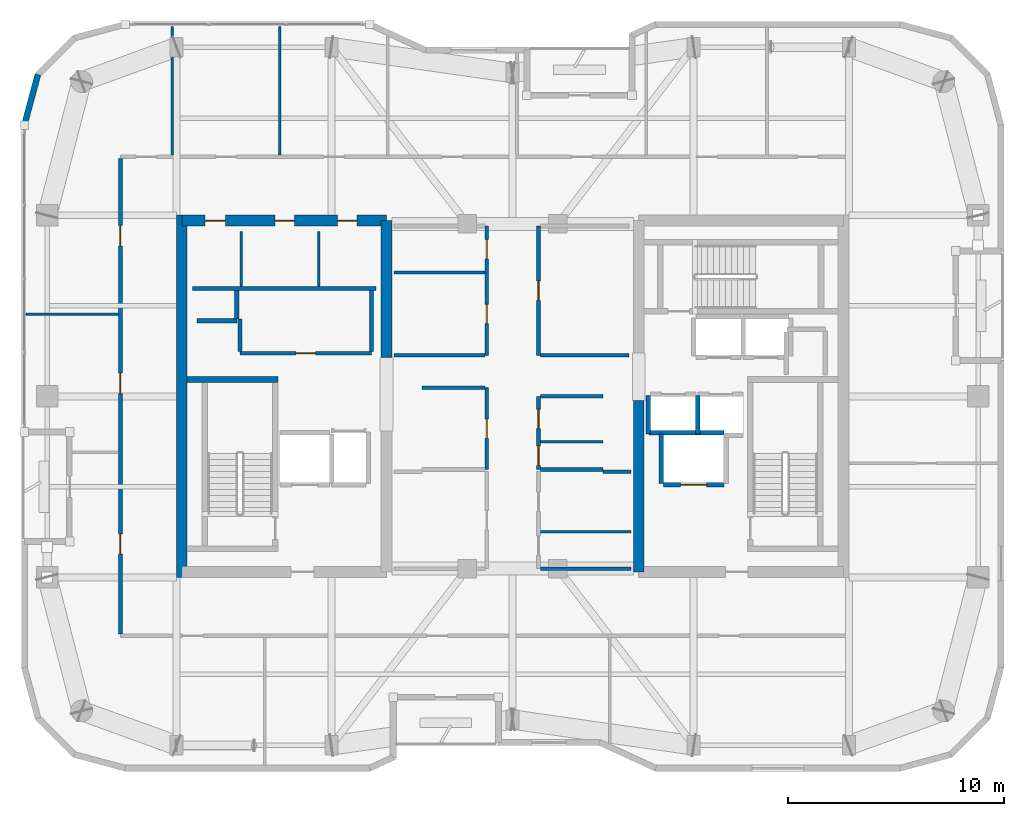
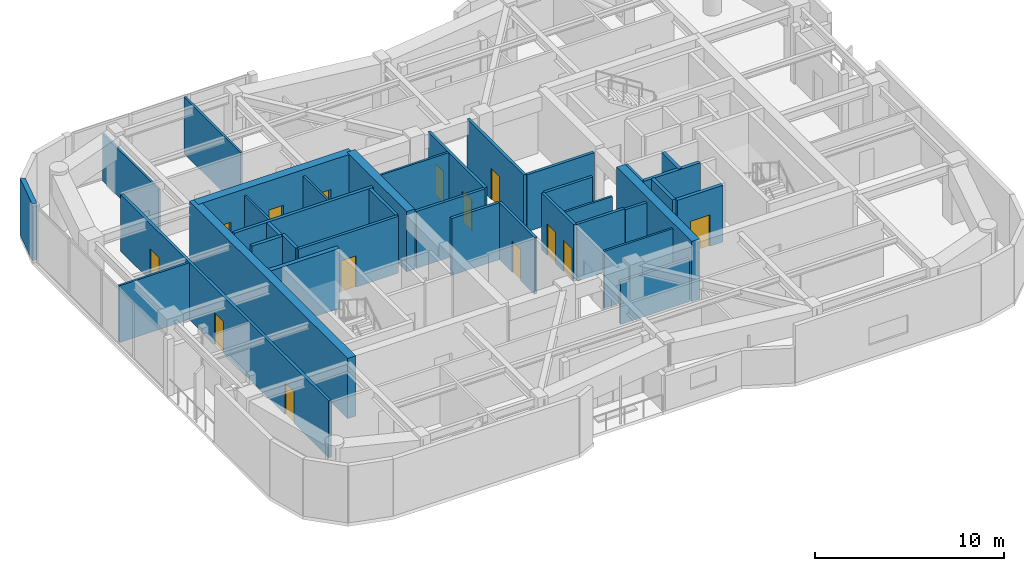
# One storey, part 11 of 15: 37 walls, 14 doors, 14 openings.
"""IFC4 building model written with IfcOpenShell, lengths in metres."""

from ifc_helpers import new_model, si_unit, direction, frame, frame_2d, origin, place, context, subcontext, project, spatial, rectangle, extrude, material, layer, layer_set, type_object, element, fill, save


model = new_model("IFC4")

# Units and contexts
model_context = context("Model", 3, precision=1e-05, world=origin(), true_north=direction((0.0, 1.0)))
body_context = subcontext(model_context, "Body", "Model", "MODEL_VIEW")
ifc_project = project(units=[si_unit("LENGTHUNIT", "METRE"), si_unit("AREAUNIT", "SQUARE_METRE"), si_unit("VOLUMEUNIT", "CUBIC_METRE"), si_unit("PLANEANGLEUNIT", "RADIAN"), si_unit("MASSUNIT", "GRAM", prefix="KILO")], contexts=[model_context])

# Site, building, storey
site_placement = place(None, origin())
site = spatial("IfcSite", under=ifc_project, at=site_placement, CompositionType="ELEMENT")
building_placement = place(site_placement, origin())
building = spatial("IfcBuilding", under=site, at=building_placement, Name="Kiyonajd Concourse Tower", CompositionType="ELEMENT")
storey_placement = place(building_placement, frame((0.0, 0.0, 262.800048828125)))
storey = spatial("IfcBuildingStorey", under=building, at=storey_placement, Name="L66", CompositionType="ELEMENT", Elevation=262.800048828125)

# Walls
ifc_material_1 = material(Name="Concrete C60/75", Category="concrete")
ifc_layer_1 = layer(ifc_material_1, 0.5)
ifc_layer_set_1 = layer_set([ifc_layer_1], Name="Concrete C60/75")
wall_type_1 = type_object("IfcWallType", Name="WL-CORE-500", PredefinedType="SHEAR", material=ifc_layer_set_1)
wall_1_placement = place(storey_placement, frame((32.64990234375, 27.60009765625, 0.0), z_axis=(0.0, 0.0, 1.0), x_axis=(0.0, 1.0, 0.0)))
element("IfcWall", 1, at=wall_1_placement, inside=storey, type_object=wall_type_1, Name="L66 West Core Outer Shear Wall", PredefinedType="SHEAR", context=body_context, shape_type="SweptSolid", body=[
    extrude(rectangle(XDim=16.7998046875, YDim=0.5, at=frame_2d((8.39990234375, 0.0))), origin(), (0.0, 0.0, 1.0), 3.89990234375),
])
wall_2_placement = place(storey_placement, frame((42.14990234375, 37.800048828125, 0.0), z_axis=(0.0, 0.0, 1.0), x_axis=(0.0, 1.0, 0.0)))
element("IfcWall", 2, at=wall_2_placement, inside=storey, type_object=wall_type_1, Name="L66 West Core Inner North Shear Wall", PredefinedType="SHEAR", context=body_context, shape_type="SweptSolid", body=[
    extrude(rectangle(XDim=6.349853515625, YDim=0.5, at=frame_2d((3.1748046875, 0.0))), origin(), (0.0, 0.0, 1.0), 3.89990234375),
])

# Wall, openings, doors
wall_3_placement = place(storey_placement, frame((32.64990234375, 44.14990234375, 0.0), z_axis=(0.0, 0.0, 1.0), x_axis=(1.0, 0.0, 0.0)))
wall_3 = element("IfcWall", 3, at=wall_3_placement, inside=storey, type_object=wall_type_1, Name="L66 West Core North Shear Wall", PredefinedType="SHEAR", context=body_context, shape_type="SweptSolid", body=[
    extrude(rectangle(XDim=9.5, YDim=0.5, at=frame_2d((4.75, 0.0))), origin(), (0.0, 0.0, 1.0), 3.89990234375),
])
opening_1_placement = place(wall_3_placement, frame((1.074951171875, 0.0, 0.0)))
opening_1 = element("IfcOpeningElement", 4, at=opening_1_placement, cuts=wall_3, Name="Opening DI1", PredefinedType="OPENING", context=body_context, shape_type="SweptSolid", body=[
    extrude(rectangle(XDim=0.949951171875, YDim=2.0400390625, at=frame_2d((0.47509765625, 1.02001953125))), frame((0.0, 0.260009765625, 0.0), z_axis=(0.0, -1.0, 0.0), x_axis=(1.0, 0.0, 0.0)), (0.0, 0.0, 1.0), 0.52001953125),
])
opening_2_placement = place(wall_3_placement, frame((4.324951171875, 0.0, 0.0)))
opening_2 = element("IfcOpeningElement", 5, at=opening_2_placement, cuts=wall_3, Name="Opening DI2", PredefinedType="OPENING", context=body_context, shape_type="SweptSolid", body=[
    extrude(rectangle(XDim=0.89990234375, YDim=2.02001953125, at=frame_2d((0.449951171875, 1.010009765625))), frame((0.0, 0.260009765625, 0.0), z_axis=(0.0, -1.0, 0.0), x_axis=(1.0, 0.0, 0.0)), (0.0, 0.0, 1.0), 0.52001953125),
])
opening_3_placement = place(wall_3_placement, frame((7.22509765625, 0.0, 0.0)))
opening_3 = element("IfcOpeningElement", 6, at=opening_3_placement, cuts=wall_3, Name="Opening DI2", PredefinedType="OPENING", context=body_context, shape_type="SweptSolid", body=[
    extrude(rectangle(XDim=0.89990234375, YDim=2.02001953125, at=frame_2d((0.449951171875, 1.010009765625))), frame((0.0, 0.260009765625, 0.0), z_axis=(0.0, -1.0, 0.0), x_axis=(1.0, 0.0, 0.0)), (0.0, 0.0, 1.0), 0.52001953125),
])
ifc_material_2 = material(Name="Natural Oak Acoustic Timber Veneer", Category="wood")
door_type_1 = type_object("IfcDoorType", Name="DR-INT-900", OperationType="NOTDEFINED", PredefinedType="DOOR", material=ifc_material_2)
door_1_placement = place(opening_2_placement, origin())
door_1 = element("IfcDoor", 7, at=door_1_placement, inside=storey, type_object=door_type_1, Name="L66 Male Restroom Door", OperationType="SINGLE_SWING_RIGHT", OverallHeight=2.02001953125, OverallWidth=0.89990234375, PredefinedType="DOOR", context=body_context, shape_type="SweptSolid", body=[
    extrude(rectangle(XDim=0.89990234375, YDim=2.02001953125, at=frame_2d((0.449951171875, 1.010009765625))), frame((0.0, 0.02490234375, 0.0), z_axis=(0.0, -1.0, 0.0), x_axis=(1.0, 0.0, 0.0)), (0.0, 0.0, 1.0), 0.050048828125),
])
fill(opening_2, door_1)
door_2_placement = place(opening_3_placement, origin())
door_2 = element("IfcDoor", 8, at=door_2_placement, inside=storey, type_object=door_type_1, Name="L66 Female Restroom Door", OperationType="SINGLE_SWING_LEFT", OverallHeight=2.02001953125, OverallWidth=0.89990234375, PredefinedType="DOOR", context=body_context, shape_type="SweptSolid", body=[
    extrude(rectangle(XDim=0.89990234375, YDim=2.02001953125, at=frame_2d((0.449951171875, 1.010009765625))), frame((0.0, 0.02490234375, 0.0), z_axis=(0.0, -1.0, 0.0), x_axis=(1.0, 0.0, 0.0)), (0.0, 0.0, 1.0), 0.050048828125),
])
fill(opening_3, door_2)
door_type_2 = type_object("IfcDoorType", Name="DR-INT-950", OperationType="NOTDEFINED", PredefinedType="DOOR", material=ifc_material_2)
door_3_placement = place(opening_1_placement, origin())
door_3 = element("IfcDoor", 9, at=door_3_placement, inside=storey, type_object=door_type_2, Name="L66 Single User Accessible WC Door", OperationType="SINGLE_SWING_LEFT", OverallHeight=2.0400390625, OverallWidth=0.949951171875, PredefinedType="DOOR", context=body_context, shape_type="SweptSolid", body=[
    extrude(rectangle(XDim=0.949951171875, YDim=2.0400390625, at=frame_2d((0.47509765625, 1.02001953125))), frame((0.0, 0.02490234375, 0.0), z_axis=(0.0, -1.0, 0.0), x_axis=(1.0, 0.0, 0.0)), (0.0, 0.0, 1.0), 0.050048828125),
])
fill(opening_1, door_3)

# Walls
wall_4_placement = place(storey_placement, frame((53.85009765625, 27.85009765625, 0.0), z_axis=(0.0, 0.0, 1.0), x_axis=(0.0, 1.0, 0.0)))
element("IfcWall", 10, at=wall_4_placement, inside=storey, type_object=wall_type_1, Name="L66 East Core Inner South Shear Wall", PredefinedType="SHEAR", context=body_context, shape_type="SweptSolid", body=[
    extrude(rectangle(XDim=7.949951171875, YDim=0.5, at=frame_2d((3.97509765625, 0.0))), origin(), (0.0, 0.0, 1.0), 3.89990234375),
])
ifc_material_3 = material(Name="Precast concrete C50/60", Category="concrete")
ifc_layer_2 = layer(ifc_material_3, 0.280029296875)
ifc_layer_set_2 = layer_set([ifc_layer_2], Name="Precast concrete C50/60")
wall_type_2 = type_object("IfcWallType", Name="WL-EXT-280", PredefinedType="SOLIDWALL", material=ifc_layer_set_2)
wall_5_placement = place(storey_placement, frame((25.340087890625, 48.58154296875, 0.0), z_axis=(0.0, 0.0, 1.0), x_axis=(0.258751159445, 0.965944013639, 0.0)))
element("IfcWall", 11, at=wall_5_placement, inside=storey, type_object=wall_type_2, Name="L66 Exterior Concrete Frame Wall 06", PredefinedType="SOLIDWALL", context=body_context, shape_type="SweptSolid", body=[
    extrude(rectangle(XDim=2.4287109375, YDim=0.280029296875, at=frame_2d((1.21435546875, 0.0))), origin(), (0.0, 0.0, 1.0), 3.679931640625),
])
ifc_material_4 = material(Name="Gypsum Board on Cold-Formed Steel Stud", Category="steel")
ifc_layer_3 = layer(ifc_material_4, 0.125)
ifc_layer_set_3 = layer_set([ifc_layer_3], Name="Gypsum Board on Cold-Formed Steel Stud")
wall_type_3 = type_object("IfcWallType", Name="WL-PART-125", PredefinedType="PARTITIONING", material=ifc_layer_set_3)
for number, where, z_axis, x_axis, name in (
    (12, (35.39990234375, 41.094970703125, 0.0), (0.0, 0.0, 1.0), (0.0, 1.0, 0.0), "L66 Interior Partition Wall"),
    (13, (39.0, 41.094970703125, 0.0), (0.0, 0.0, 1.0), (0.0, 1.0, 0.0), "L66 Interior Partition Wall"),
):
    element("IfcWall", number, at=place(storey_placement, frame(where, z_axis=z_axis, x_axis=x_axis)), inside=storey, type_object=wall_type_3, Name=name, PredefinedType="PARTITIONING", context=body_context, shape_type="SweptSolid", body=[
        extrude(rectangle(XDim=2.554931640625, YDim=0.125, at=frame_2d((1.27734375, 0.0))), origin(), (0.0, 0.0, 1.0), 3.679931640625),
    ])
wall_6_placement = place(storey_placement, frame((49.287109375, 33.89208984375, 0.0), z_axis=(0.0, 0.0, 1.0), x_axis=(1.0, 0.0, 0.0)))
element("IfcWall", 14, at=wall_6_placement, inside=storey, type_object=wall_type_3, Name="L66 Interior Partition Wall", PredefinedType="PARTITIONING", context=body_context, shape_type="SweptSolid", body=[
    extrude(rectangle(XDim=2.912841796875, YDim=0.125, at=frame_2d((1.45654296875, 0.0))), origin(), (0.0, 0.0, 1.0), 3.679931640625),
])
for number, where, z_axis, x_axis, name in (
    (15, (49.287109375, 29.7099609375, 0.0), (0.0, 0.0, 1.0), (1.0, 0.0, 0.0), "L66 Interior Partition Wall"),
    (16, (42.5, 41.739990234375, 0.0), (0.0, 0.0, 1.0), (1.0, 0.0, 0.0), "L66 Interior Partition Wall"),
):
    element("IfcWall", number, at=place(storey_placement, frame(where, z_axis=z_axis, x_axis=x_axis)), inside=storey, type_object=wall_type_3, Name=name, PredefinedType="PARTITIONING", context=body_context, shape_type="SweptSolid", body=[
        extrude(rectangle(XDim=4.212890625, YDim=0.125, at=frame_2d((2.1064453125, 0.0))), origin(), (0.0, 0.0, 1.0), 3.679931640625),
    ])
wall_7_placement = place(storey_placement, frame((32.199951171875, 47.197021484375, 0.0), z_axis=(0.0, 0.0, 1.0), x_axis=(0.0, 1.0, 0.0)))
element("IfcWall", 17, at=wall_7_placement, inside=storey, type_object=wall_type_3, Name="L66 Interior Partition Wall", PredefinedType="PARTITIONING", context=body_context, shape_type="SweptSolid", body=[
    extrude(rectangle(XDim=5.968017578125, YDim=0.125, at=frame_2d((2.98388671875, 0.0))), origin(), (0.0, 0.0, 1.0), 3.053955078125),
])
wall_8_placement = place(storey_placement, frame((37.199951171875, 47.197021484375, 0.0), z_axis=(0.0, 0.0, 1.0), x_axis=(0.0, 1.0, 0.0)))
element("IfcWall", 18, at=wall_8_placement, inside=storey, type_object=wall_type_3, Name="L66 Interior Partition Wall", PredefinedType="PARTITIONING", context=body_context, shape_type="SweptSolid", body=[
    extrude(rectangle(XDim=5.968017578125, YDim=0.125, at=frame_2d((2.98388671875, 0.0))), origin(), (0.0, 0.0, 1.0), 3.679931640625),
])
wall_9_placement = place(storey_placement, frame((25.425048828125, 39.800048828125, 0.0), z_axis=(0.0, 0.0, 1.0), x_axis=(1.0, 0.0, 0.0)))
element("IfcWall", 19, at=wall_9_placement, inside=storey, type_object=wall_type_3, Name="L66 Interior Partition Wall", PredefinedType="PARTITIONING", context=body_context, shape_type="SweptSolid", body=[
    extrude(rectangle(XDim=4.287841796875, YDim=0.125, at=frame_2d((2.14404296875, 0.0))), origin(), (0.0, 0.0, 1.0), 3.679931640625),
])
ifc_layer_4 = layer(ifc_material_4, 0.18994140625)
ifc_layer_set_4 = layer_set([ifc_layer_4], Name="Gypsum Board on Cold-Formed Steel Stud")
wall_type_4 = type_object("IfcWallType", Name="WL-PLMB-190", PredefinedType="PLUMBINGWALL", material=ifc_layer_set_4)
wall_10_placement = place(storey_placement, frame((33.14990234375, 41.0, 0.0), z_axis=(0.0, 0.0, 1.0), x_axis=(1.0, 0.0, 0.0)))
element("IfcWall", 20, at=wall_10_placement, inside=storey, type_object=wall_type_4, Name="L66 Interior Partition Wall", PredefinedType="PLUMBINGWALL", context=body_context, shape_type="SweptSolid", body=[
    extrude(rectangle(XDim=8.5, YDim=0.18994140625, at=frame_2d((4.25, 0.0))), origin(), (0.0, 0.0, 1.0), 3.679931640625),
])
ifc_layer_5 = layer(ifc_material_4, 0.2099609375)
ifc_layer_set_5 = layer_set([ifc_layer_5], Name="Gypsum Board on Cold-Formed Steel Stud")
wall_type_5 = type_object("IfcWallType", Name="WL-SHAFT-210", PredefinedType="PARTITIONING", material=ifc_layer_set_5)
wall_11_placement = place(storey_placement, frame((33.360107421875, 39.5, 0.0), z_axis=(0.0, 0.0, 1.0), x_axis=(1.0, 0.0, 0.0)))
element("IfcWall", 21, at=wall_11_placement, inside=storey, type_object=wall_type_5, Name="L66 Shaft Enclosure Wall", PredefinedType="PARTITIONING", context=body_context, shape_type="SweptSolid", body=[
    extrude(rectangle(XDim=1.85986328125, YDim=0.2099609375, at=frame_2d((0.929931640625, 0.0))), origin(), (0.0, 0.0, 1.0), 3.679931640625),
])
wall_12_placement = place(storey_placement, frame((35.199951171875, 39.580078125, 0.0), z_axis=(0.0, 0.0, 1.0), x_axis=(0.0, 1.0, 0.0)))
element("IfcWall", 22, at=wall_12_placement, inside=storey, type_object=wall_type_5, Name="L66 Shaft Enclosure Wall", PredefinedType="PARTITIONING", context=body_context, shape_type="SweptSolid", body=[
    extrude(rectangle(XDim=1.31982421875, YDim=0.2099609375, at=frame_2d((0.659912109375, 0.0))), origin(), (0.0, 0.0, 1.0), 3.679931640625),
])

# Wall, opening, door
wall_13_placement = place(storey_placement, frame((55.0, 31.89990234375, 0.0), z_axis=(0.0, 0.0, 1.0), x_axis=(1.0, 0.0, 0.0)))
wall_13 = element("IfcWall", 23, at=wall_13_placement, inside=storey, type_object=wall_type_5, Name="L66 Shaft Enclosure Wall", PredefinedType="PARTITIONING", context=body_context, shape_type="SweptSolid", body=[
    extrude(rectangle(XDim=2.800048828125, YDim=0.2099609375, at=frame_2d((1.39990234375, 0.0))), origin(), (0.0, 0.0, 1.0), 3.679931640625),
])
opening_4_placement = place(wall_13_placement, frame((0.800048828125, 0.0, 0.0)))
opening_4 = element("IfcOpeningElement", 24, at=opening_4_placement, cuts=wall_13, Name="Opening LD2", PredefinedType="OPENING", context=body_context, shape_type="SweptSolid", body=[
    extrude(rectangle(XDim=1.199951171875, YDim=2.0400390625, at=frame_2d((0.60009765625, 1.02001953125))), frame((0.0, 0.114990234375, 0.0), z_axis=(0.0, -1.0, 0.0), x_axis=(1.0, 0.0, 0.0)), (0.0, 0.0, 1.0), 0.22998046875),
])
ifc_material_5 = material(Name="Brushed Stainless Steel Cab Assembly", Category="steel")
door_type_3 = type_object("IfcDoorType", Name="DR-LD-1200", OperationType="DOUBLE_DOOR_SLIDING", PredefinedType="DOOR", material=ifc_material_5)
door_4_placement = place(opening_4_placement, origin())
door_4 = element("IfcDoor", 25, at=door_4_placement, inside=storey, type_object=door_type_3, Name="L66 Lift FFL2 Sliding Landing Door", OperationType="DOUBLE_DOOR_SLIDING", OverallHeight=2.0400390625, OverallWidth=1.199951171875, PredefinedType="DOOR", context=body_context, shape_type="SweptSolid", body=[
    extrude(rectangle(XDim=1.199951171875, YDim=2.0400390625, at=frame_2d((0.60009765625, 1.02001953125))), frame((0.0, 0.02490234375, 0.0), z_axis=(0.0, -1.0, 0.0), x_axis=(1.0, 0.0, 0.0)), (0.0, 0.0, 1.0), 0.050048828125),
])
fill(opening_4, door_4)

# Walls
wall_14_placement = place(storey_placement, frame((54.320068359375, 34.300048828125, 0.0), z_axis=(0.0, 0.0, 1.0), x_axis=(1.0, 0.0, 0.0)))
element("IfcWall", 26, at=wall_14_placement, inside=storey, type_object=wall_type_5, Name="L66 Shaft Enclosure Wall", PredefinedType="PARTITIONING", context=body_context, shape_type="SweptSolid", body=[
    extrude(rectangle(XDim=3.47998046875, YDim=0.2099609375, at=frame_2d((1.739990234375, 0.0))), origin(), (0.0, 0.0, 1.0), 3.679931640625),
])
wall_15_placement = place(storey_placement, frame((54.89990234375, 31.9599609375, 0.0), z_axis=(0.0, 0.0, 1.0), x_axis=(0.0, 1.0, 0.0)))
element("IfcWall", 27, at=wall_15_placement, inside=storey, type_object=wall_type_5, Name="L66 Shaft Enclosure Wall", PredefinedType="PARTITIONING", context=body_context, shape_type="SweptSolid", body=[
    extrude(rectangle(XDim=2.280029296875, YDim=0.2099609375, at=frame_2d((1.14013671875, 0.0))), origin(), (0.0, 0.0, 1.0), 3.679931640625),
])
for number, where, z_axis, x_axis, name in (
    (28, (54.300048828125, 34.260009765625, 0.0), (0.0, 0.0, 1.0), (0.0, 1.0, 0.0), "L66 Shaft Enclosure Wall"),
    (29, (56.60009765625, 34.260009765625, 0.0), (0.0, 0.0, 1.0), (0.0, 1.0, 0.0), "L66 Shaft Enclosure Wall"),
):
    element("IfcWall", number, at=place(storey_placement, frame(where, z_axis=z_axis, x_axis=x_axis)), inside=storey, type_object=wall_type_5, Name=name, PredefinedType="PARTITIONING", context=body_context, shape_type="SweptSolid", body=[
        extrude(rectangle(XDim=1.780029296875, YDim=0.2099609375, at=frame_2d((0.89013671875, 0.0))), origin(), (0.0, 0.0, 1.0), 3.679931640625),
    ])

# Wall, opening, door
ifc_layer_6 = layer(ifc_material_4, 0.169921875)
ifc_layer_set_6 = layer_set([ifc_layer_6], Name="Gypsum Board on Cold-Formed Steel Stud")
wall_type_6 = type_object("IfcWallType", Name="WL-SMK-170", PredefinedType="PARTITIONING", material=ifc_layer_set_6)
wall_16_placement = place(storey_placement, frame((35.35009765625, 38.0, 0.0), z_axis=(0.0, 0.0, 1.0), x_axis=(1.0, 0.0, 0.0)))
wall_16 = element("IfcWall", 30, at=wall_16_placement, inside=storey, type_object=wall_type_6, Name="L66 Interior Partition Wall", PredefinedType="PARTITIONING", context=body_context, shape_type="SweptSolid", body=[
    extrude(rectangle(XDim=6.099853515625, YDim=0.169921875, at=frame_2d((3.0498046875, 0.0))), origin(), (0.0, 0.0, 1.0), 3.679931640625),
])
opening_5_placement = place(wall_16_placement, frame((2.60009765625, 0.0, 0.0)))
opening_5 = element("IfcOpeningElement", 31, at=opening_5_placement, cuts=wall_16, Name="Opening DI2", PredefinedType="OPENING", context=body_context, shape_type="SweptSolid", body=[
    extrude(rectangle(XDim=0.89990234375, YDim=2.02001953125, at=frame_2d((0.449951171875, 1.010009765625))), frame((0.0, 0.094970703125, 0.0), z_axis=(0.0, -1.0, 0.0), x_axis=(1.0, 0.0, 0.0)), (0.0, 0.0, 1.0), 0.18994140625),
])
door_5_placement = place(opening_5_placement, origin())
door_5 = element("IfcDoor", 32, at=door_5_placement, inside=storey, type_object=door_type_1, Name="L66 Interior Door", OperationType="SINGLE_SWING_LEFT", OverallHeight=2.02001953125, OverallWidth=0.89990234375, PredefinedType="DOOR", context=body_context, shape_type="SweptSolid", body=[
    extrude(rectangle(XDim=0.89990234375, YDim=2.02001953125, at=frame_2d((0.449951171875, 1.010009765625))), frame((0.0, 0.02490234375, 0.0), z_axis=(0.0, -1.0, 0.0), x_axis=(1.0, 0.0, 0.0)), (0.0, 0.0, 1.0), 0.050048828125),
])
fill(opening_5, door_5)

# Walls
wall_17_placement = place(storey_placement, frame((35.35009765625, 38.0869140625, 0.0), z_axis=(0.0, 0.0, 1.0), x_axis=(0.0, 1.0, 0.0)))
element("IfcWall", 33, at=wall_17_placement, inside=storey, type_object=wall_type_6, Name="L66 Interior Partition Wall", PredefinedType="PARTITIONING", context=body_context, shape_type="SweptSolid", body=[
    extrude(rectangle(XDim=1.4931640625, YDim=0.169921875, at=frame_2d((0.74658203125, 0.0))), origin(), (0.0, 0.0, 1.0), 3.679931640625),
])
wall_18_placement = place(storey_placement, frame((41.449951171875, 38.0869140625, 0.0), z_axis=(0.0, 0.0, 1.0), x_axis=(0.0, 1.0, 0.0)))
element("IfcWall", 34, at=wall_18_placement, inside=storey, type_object=wall_type_6, Name="L66 Interior Partition Wall", PredefinedType="PARTITIONING", context=body_context, shape_type="SweptSolid", body=[
    extrude(rectangle(XDim=2.81298828125, YDim=0.169921875, at=frame_2d((1.406494140625, 0.0))), origin(), (0.0, 0.0, 1.0), 3.679931640625),
])

# Wall, opening, door
wall_19_placement = place(storey_placement, frame((46.800048828125, 32.60009765625, 0.0), z_axis=(0.0, 0.0, 1.0), x_axis=(0.0, 1.0, 0.0)))
wall_19 = element("IfcWall", 35, at=wall_19_placement, inside=storey, type_object=wall_type_6, Name="L66 Interior Partition Wall", PredefinedType="PARTITIONING", context=body_context, shape_type="SweptSolid", body=[
    extrude(rectangle(XDim=3.7998046875, YDim=0.169921875, at=frame_2d((1.89990234375, 0.0))), origin(), (0.0, 0.0, 1.0), 3.679931640625),
])
opening_6_placement = place(wall_19_placement, frame((1.449951171875, 0.0, 0.0)))
opening_6 = element("IfcOpeningElement", 36, at=opening_6_placement, cuts=wall_19, Name="Opening DI2", PredefinedType="OPENING", context=body_context, shape_type="SweptSolid", body=[
    extrude(rectangle(XDim=0.89990234375, YDim=2.02001953125, at=frame_2d((0.449951171875, 1.010009765625))), frame((0.0, 0.094970703125, 0.0), z_axis=(0.0, -1.0, 0.0), x_axis=(1.0, 0.0, 0.0)), (0.0, 0.0, 1.0), 0.18994140625),
])
door_6_placement = place(opening_6_placement, origin())
door_6 = element("IfcDoor", 37, at=door_6_placement, inside=storey, type_object=door_type_1, Name="L66 Interior Door", OperationType="SINGLE_SWING_RIGHT", OverallHeight=2.02001953125, OverallWidth=0.89990234375, PredefinedType="DOOR", context=body_context, shape_type="SweptSolid", body=[
    extrude(rectangle(XDim=0.89990234375, YDim=2.02001953125, at=frame_2d((0.449951171875, 1.010009765625))), frame((0.0, 0.02490234375, 0.0), z_axis=(0.0, -1.0, 0.0), x_axis=(1.0, 0.0, 0.0)), (0.0, 0.0, 1.0), 0.050048828125),
])
fill(opening_6, door_6)

# Wall
wall_20_placement = place(storey_placement, frame((43.800048828125, 36.39990234375, 0.0), z_axis=(0.0, 0.0, 1.0), x_axis=(1.0, 0.0, 0.0)))
element("IfcWall", 38, at=wall_20_placement, inside=storey, type_object=wall_type_6, Name="L66 Interior Partition Wall", PredefinedType="PARTITIONING", context=body_context, shape_type="SweptSolid", body=[
    extrude(rectangle(XDim=2.912841796875, YDim=0.169921875, at=frame_2d((1.45654296875, 0.0))), origin(), (0.0, 0.0, 1.0), 3.679931640625),
])

# Wall, openings, doors
wall_21_placement = place(storey_placement, frame((49.199951171875, 32.60009765625, 0.0), z_axis=(0.0, 0.0, 1.0), x_axis=(0.0, 1.0, 0.0)))
wall_21 = element("IfcWall", 39, at=wall_21_placement, inside=storey, type_object=wall_type_6, Name="L66 Interior Partition Wall", PredefinedType="PARTITIONING", context=body_context, shape_type="SweptSolid", body=[
    extrude(rectangle(XDim=3.39990234375, YDim=0.169921875, at=frame_2d((1.699951171875, 0.0))), origin(), (0.0, 0.0, 1.0), 3.679931640625),
])
opening_7_placement = place(wall_21_placement, frame((0.196044921875, 0.0, 0.0)))
opening_7 = element("IfcOpeningElement", 40, at=opening_7_placement, cuts=wall_21, Name="Opening DI2", PredefinedType="OPENING", context=body_context, shape_type="SweptSolid", body=[
    extrude(rectangle(XDim=0.89990234375, YDim=2.02001953125, at=frame_2d((0.449951171875, 1.010009765625))), frame((0.0, 0.094970703125, 0.0), z_axis=(0.0, -1.0, 0.0), x_axis=(1.0, 0.0, 0.0)), (0.0, 0.0, 1.0), 0.18994140625),
])
opening_8_placement = place(wall_21_placement, frame((1.89599609375, 0.0, 0.0)))
opening_8 = element("IfcOpeningElement", 41, at=opening_8_placement, cuts=wall_21, Name="Opening DI2", PredefinedType="OPENING", context=body_context, shape_type="SweptSolid", body=[
    extrude(rectangle(XDim=0.89990234375, YDim=2.02001953125, at=frame_2d((0.449951171875, 1.010009765625))), frame((0.0, 0.094970703125, 0.0), z_axis=(0.0, -1.0, 0.0), x_axis=(1.0, 0.0, 0.0)), (0.0, 0.0, 1.0), 0.18994140625),
])
door_7_placement = place(opening_7_placement, origin())
door_7 = element("IfcDoor", 42, at=door_7_placement, inside=storey, type_object=door_type_1, Name="L66 Interior Door", OperationType="SINGLE_SWING_LEFT", OverallHeight=2.02001953125, OverallWidth=0.89990234375, PredefinedType="DOOR", context=body_context, shape_type="SweptSolid", body=[
    extrude(rectangle(XDim=0.89990234375, YDim=2.02001953125, at=frame_2d((0.449951171875, 1.010009765625))), frame((0.0, 0.02490234375, 0.0), z_axis=(0.0, -1.0, 0.0), x_axis=(1.0, 0.0, 0.0)), (0.0, 0.0, 1.0), 0.050048828125),
])
fill(opening_7, door_7)
door_8_placement = place(opening_8_placement, origin())
door_8 = element("IfcDoor", 43, at=door_8_placement, inside=storey, type_object=door_type_1, Name="L66 Interior Door", OperationType="SINGLE_SWING_RIGHT", OverallHeight=2.02001953125, OverallWidth=0.89990234375, PredefinedType="DOOR", context=body_context, shape_type="SweptSolid", body=[
    extrude(rectangle(XDim=0.89990234375, YDim=2.02001953125, at=frame_2d((0.449951171875, 1.010009765625))), frame((0.0, 0.02490234375, 0.0), z_axis=(0.0, -1.0, 0.0), x_axis=(1.0, 0.0, 0.0)), (0.0, 0.0, 1.0), 0.050048828125),
])
fill(opening_8, door_8)

# Walls
for number, where, z_axis, x_axis, name in (
    (44, (49.287109375, 32.60009765625, 0.0), (0.0, 0.0, 1.0), (1.0, 0.0, 0.0), "L66 Interior Partition Wall"),
    (45, (49.287109375, 36.0, 0.0), (0.0, 0.0, 1.0), (1.0, 0.0, 0.0), "L66 Interior Partition Wall"),
):
    element("IfcWall", number, at=place(storey_placement, frame(where, z_axis=z_axis, x_axis=x_axis)), inside=storey, type_object=wall_type_6, Name=name, PredefinedType="PARTITIONING", context=body_context, shape_type="SweptSolid", body=[
        extrude(rectangle(XDim=2.912841796875, YDim=0.169921875, at=frame_2d((1.45654296875, 0.0))), origin(), (0.0, 0.0, 1.0), 3.679931640625),
    ])
wall_22_placement = place(storey_placement, frame((49.287109375, 28.0, 0.0), z_axis=(0.0, 0.0, 1.0), x_axis=(1.0, 0.0, 0.0)))
element("IfcWall", 46, at=wall_22_placement, inside=storey, type_object=wall_type_6, Name="L66 Interior Partition Wall", PredefinedType="PARTITIONING", context=body_context, shape_type="SweptSolid", body=[
    extrude(rectangle(XDim=4.212890625, YDim=0.169921875, at=frame_2d((2.1064453125, 0.0))), origin(), (0.0, 0.0, 1.0), 2.764892578125),
])
wall_23_placement = place(storey_placement, frame((52.199951171875, 32.5, 0.0), z_axis=(0.0, 0.0, 1.0), x_axis=(1.0, 0.0, 0.0)))
element("IfcWall", 47, at=wall_23_placement, inside=storey, type_object=wall_type_6, Name="L66 Interior Partition Wall", PredefinedType="PARTITIONING", context=body_context, shape_type="SweptSolid", body=[
    extrude(rectangle(XDim=1.300048828125, YDim=0.169921875, at=frame_2d((0.64990234375, 0.0))), origin(), (0.0, 0.0, 1.0), 3.679931640625),
])

# Wall, openings, doors
wall_24_placement = place(storey_placement, frame((46.800048828125, 37.89990234375, 0.0), z_axis=(0.0, 0.0, 1.0), x_axis=(0.0, 1.0, 0.0)))
wall_24 = element("IfcWall", 48, at=wall_24_placement, inside=storey, type_object=wall_type_6, Name="L66 Interior Partition Wall", PredefinedType="PARTITIONING", context=body_context, shape_type="SweptSolid", body=[
    extrude(rectangle(XDim=6.0, YDim=0.169921875, at=frame_2d((3.0, 0.0))), origin(), (0.0, 0.0, 1.0), 3.679931640625),
])
opening_9_placement = place(wall_24_placement, frame((1.469970703125, 0.0, 0.0)))
opening_9 = element("IfcOpeningElement", 49, at=opening_9_placement, cuts=wall_24, Name="Opening DF4", PredefinedType="OPENING", context=body_context, shape_type="SweptSolid", body=[
    extrude(rectangle(XDim=0.89990234375, YDim=2.02001953125, at=frame_2d((0.449951171875, 1.010009765625))), frame((0.0, 0.094970703125, 0.0), z_axis=(0.0, -1.0, 0.0), x_axis=(1.0, 0.0, 0.0)), (0.0, 0.0, 1.0), 0.18994140625),
])
opening_10_placement = place(wall_24_placement, frame((4.469970703125, 0.0, 0.0)))
opening_10 = element("IfcOpeningElement", 50, at=opening_10_placement, cuts=wall_24, Name="Opening DF4", PredefinedType="OPENING", context=body_context, shape_type="SweptSolid", body=[
    extrude(rectangle(XDim=0.89990234375, YDim=2.02001953125, at=frame_2d((0.449951171875, 1.010009765625))), frame((0.0, 0.094970703125, 0.0), z_axis=(0.0, -1.0, 0.0), x_axis=(1.0, 0.0, 0.0)), (0.0, 0.0, 1.0), 0.18994140625),
])
door_type_4 = type_object("IfcDoorType", Name="DR-FD60-900", OperationType="NOTDEFINED", PredefinedType="DOOR", material=ifc_material_5)
door_9_placement = place(opening_9_placement, origin())
door_9 = element("IfcDoor", 51, at=door_9_placement, inside=storey, type_object=door_type_4, Name="L66 Interior Door", OperationType="SINGLE_SWING_RIGHT", OverallHeight=2.02001953125, OverallWidth=0.89990234375, PredefinedType="DOOR", context=body_context, shape_type="SweptSolid", body=[
    extrude(rectangle(XDim=0.89990234375, YDim=2.02001953125, at=frame_2d((0.449951171875, 1.010009765625))), frame((0.0, 0.02490234375, 0.0), z_axis=(0.0, -1.0, 0.0), x_axis=(1.0, 0.0, 0.0)), (0.0, 0.0, 1.0), 0.050048828125),
])
fill(opening_9, door_9)
door_10_placement = place(opening_10_placement, origin())
door_10 = element("IfcDoor", 52, at=door_10_placement, inside=storey, type_object=door_type_4, Name="L66 Interior Door", OperationType="SINGLE_SWING_LEFT", OverallHeight=2.02001953125, OverallWidth=0.89990234375, PredefinedType="DOOR", context=body_context, shape_type="SweptSolid", body=[
    extrude(rectangle(XDim=0.89990234375, YDim=2.02001953125, at=frame_2d((0.449951171875, 1.010009765625))), frame((0.0, 0.02490234375, 0.0), z_axis=(0.0, -1.0, 0.0), x_axis=(1.0, 0.0, 0.0)), (0.0, 0.0, 1.0), 0.050048828125),
])
fill(opening_10, door_10)

# Wall
wall_25_placement = place(storey_placement, frame((42.5, 37.89990234375, 0.0), z_axis=(0.0, 0.0, 1.0), x_axis=(1.0, 0.0, 0.0)))
element("IfcWall", 53, at=wall_25_placement, inside=storey, type_object=wall_type_6, Name="L66 Interior Partition Wall", PredefinedType="PARTITIONING", context=body_context, shape_type="SweptSolid", body=[
    extrude(rectangle(XDim=4.212890625, YDim=0.169921875, at=frame_2d((2.1064453125, 0.0))), origin(), (0.0, 0.0, 1.0), 3.679931640625),
])

# Wall, opening, door
wall_26_placement = place(storey_placement, frame((49.199951171875, 37.89990234375, 0.0), z_axis=(0.0, 0.0, 1.0), x_axis=(0.0, 1.0, 0.0)))
wall_26 = element("IfcWall", 54, at=wall_26_placement, inside=storey, type_object=wall_type_6, Name="L66 Interior Partition Wall", PredefinedType="PARTITIONING", context=body_context, shape_type="SweptSolid", body=[
    extrude(rectangle(XDim=6.0, YDim=0.169921875, at=frame_2d((3.0, 0.0))), origin(), (0.0, 0.0, 1.0), 3.679931640625),
])
opening_11_placement = place(wall_26_placement, frame((2.550048828125, 0.0, 0.0)))
opening_11 = element("IfcOpeningElement", 55, at=opening_11_placement, cuts=wall_26, Name="Opening DI2", PredefinedType="OPENING", context=body_context, shape_type="SweptSolid", body=[
    extrude(rectangle(XDim=0.89990234375, YDim=2.02001953125, at=frame_2d((0.449951171875, 1.010009765625))), frame((0.0, 0.094970703125, 0.0), z_axis=(0.0, -1.0, 0.0), x_axis=(1.0, 0.0, 0.0)), (0.0, 0.0, 1.0), 0.18994140625),
])
door_11_placement = place(opening_11_placement, origin())
door_11 = element("IfcDoor", 56, at=door_11_placement, inside=storey, type_object=door_type_1, Name="L66 Interior Door", OperationType="SINGLE_SWING_RIGHT", OverallHeight=2.02001953125, OverallWidth=0.89990234375, PredefinedType="DOOR", context=body_context, shape_type="SweptSolid", body=[
    extrude(rectangle(XDim=0.89990234375, YDim=2.02001953125, at=frame_2d((0.449951171875, 1.010009765625))), frame((0.0, 0.02490234375, 0.0), z_axis=(0.0, -1.0, 0.0), x_axis=(1.0, 0.0, 0.0)), (0.0, 0.0, 1.0), 0.050048828125),
])
fill(opening_11, door_11)

# Wall
wall_27_placement = place(storey_placement, frame((49.287109375, 37.89990234375, 0.0), z_axis=(0.0, 0.0, 1.0), x_axis=(1.0, 0.0, 0.0)))
element("IfcWall", 57, at=wall_27_placement, inside=storey, type_object=wall_type_6, Name="L66 Interior Partition Wall", PredefinedType="PARTITIONING", context=body_context, shape_type="SweptSolid", body=[
    extrude(rectangle(XDim=4.11279296875, YDim=0.169921875, at=frame_2d((2.056396484375, 0.0))), origin(), (0.0, 0.0, 1.0), 3.679931640625),
])

# Wall, openings, doors
wall_28_placement = place(storey_placement, frame((29.800048828125, 24.97705078125, 0.0), z_axis=(0.0, 0.0, 1.0), x_axis=(0.0, 1.0, 0.0)))
wall_28 = element("IfcWall", 58, at=wall_28_placement, inside=storey, type_object=wall_type_6, Name="L66 Interior Partition Wall", PredefinedType="PARTITIONING", context=body_context, shape_type="SweptSolid", body=[
    extrude(rectangle(XDim=22.0458984375, YDim=0.169921875, at=frame_2d((11.02294921875, 0.0))), origin(), (0.0, 0.0, 1.0), 3.679931640625),
])
opening_12_placement = place(wall_28_placement, frame((3.693115234375, 0.0, 0.0)))
opening_12 = element("IfcOpeningElement", 59, at=opening_12_placement, cuts=wall_28, Name="Opening DI1", PredefinedType="OPENING", context=body_context, shape_type="SweptSolid", body=[
    extrude(rectangle(XDim=0.949951171875, YDim=2.0400390625, at=frame_2d((0.47509765625, 1.02001953125))), frame((0.0, 0.094970703125, 0.0), z_axis=(0.0, -1.0, 0.0), x_axis=(1.0, 0.0, 0.0)), (0.0, 0.0, 1.0), 0.18994140625),
])
opening_13_placement = place(wall_28_placement, frame((11.14794921875, 0.0, 0.0)))
opening_13 = element("IfcOpeningElement", 60, at=opening_13_placement, cuts=wall_28, Name="Opening DI1", PredefinedType="OPENING", context=body_context, shape_type="SweptSolid", body=[
    extrude(rectangle(XDim=0.949951171875, YDim=2.0400390625, at=frame_2d((0.47509765625, 1.02001953125))), frame((0.0, 0.094970703125, 0.0), z_axis=(0.0, -1.0, 0.0), x_axis=(1.0, 0.0, 0.0)), (0.0, 0.0, 1.0), 0.18994140625),
])
opening_14_placement = place(wall_28_placement, frame((18.0029296875, 0.0, 0.0)))
opening_14 = element("IfcOpeningElement", 61, at=opening_14_placement, cuts=wall_28, Name="Opening DI1", PredefinedType="OPENING", context=body_context, shape_type="SweptSolid", body=[
    extrude(rectangle(XDim=0.949951171875, YDim=2.0400390625, at=frame_2d((0.47509765625, 1.02001953125))), frame((0.0, 0.094970703125, 0.0), z_axis=(0.0, -1.0, 0.0), x_axis=(1.0, 0.0, 0.0)), (0.0, 0.0, 1.0), 0.18994140625),
])
door_12_placement = place(opening_12_placement, origin())
door_12 = element("IfcDoor", 62, at=door_12_placement, inside=storey, type_object=door_type_2, Name="L66 Interior Door", OperationType="SINGLE_SWING_LEFT", OverallHeight=2.0400390625, OverallWidth=0.949951171875, PredefinedType="DOOR", context=body_context, shape_type="SweptSolid", body=[
    extrude(rectangle(XDim=0.949951171875, YDim=2.0400390625, at=frame_2d((0.47509765625, 1.02001953125))), frame((0.0, 0.02490234375, 0.0), z_axis=(0.0, -1.0, 0.0), x_axis=(1.0, 0.0, 0.0)), (0.0, 0.0, 1.0), 0.050048828125),
])
fill(opening_12, door_12)
door_13_placement = place(opening_13_placement, origin())
door_13 = element("IfcDoor", 63, at=door_13_placement, inside=storey, type_object=door_type_2, Name="L66 Interior Door", OperationType="SINGLE_SWING_RIGHT", OverallHeight=2.0400390625, OverallWidth=0.949951171875, PredefinedType="DOOR", context=body_context, shape_type="SweptSolid", body=[
    extrude(rectangle(XDim=0.949951171875, YDim=2.0400390625, at=frame_2d((0.47509765625, 1.02001953125))), frame((0.0, 0.02490234375, 0.0), z_axis=(0.0, -1.0, 0.0), x_axis=(1.0, 0.0, 0.0)), (0.0, 0.0, 1.0), 0.050048828125),
])
fill(opening_13, door_13)
door_14_placement = place(opening_14_placement, origin())
door_14 = element("IfcDoor", 64, at=door_14_placement, inside=storey, type_object=door_type_2, Name="L66 Interior Door", OperationType="SINGLE_SWING_LEFT", OverallHeight=2.0400390625, OverallWidth=0.949951171875, PredefinedType="DOOR", context=body_context, shape_type="SweptSolid", body=[
    extrude(rectangle(XDim=0.949951171875, YDim=2.0400390625, at=frame_2d((0.47509765625, 1.02001953125))), frame((0.0, 0.02490234375, 0.0), z_axis=(0.0, -1.0, 0.0), x_axis=(1.0, 0.0, 0.0)), (0.0, 0.0, 1.0), 0.050048828125),
])
fill(opening_14, door_14)

# Wall
ifc_material_6 = material(Name="Concrete C50/60", Category="concrete")
ifc_layer_7 = layer(ifc_material_6, 0.260009765625)
ifc_layer_set_7 = layer_set([ifc_layer_7], Name="Concrete C50/60")
wall_type_7 = type_object("IfcWallType", Name="WL-STAIR-260", PredefinedType="SHEAR", material=ifc_layer_set_7)
wall_29_placement = place(storey_placement, frame((32.89990234375, 36.780029296875, 0.0), z_axis=(0.0, 0.0, 1.0), x_axis=(1.0, 0.0, 0.0)))
element("IfcWall", 65, at=wall_29_placement, inside=storey, type_object=wall_type_7, Name="L66 Stair ST1 Structural North Wall", PredefinedType="SHEAR", context=body_context, shape_type="SweptSolid", body=[
    extrude(rectangle(XDim=4.210205078125, YDim=0.260009765625, at=frame_2d((2.10498046875, 0.0))), origin(), (0.0, 0.0, 1.0), 3.89990234375),
])

save(model, "model.ifc")
